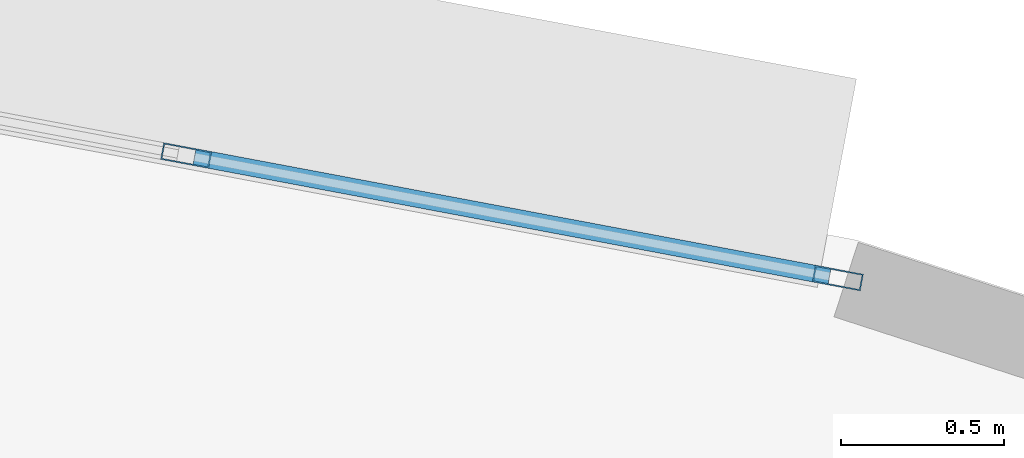
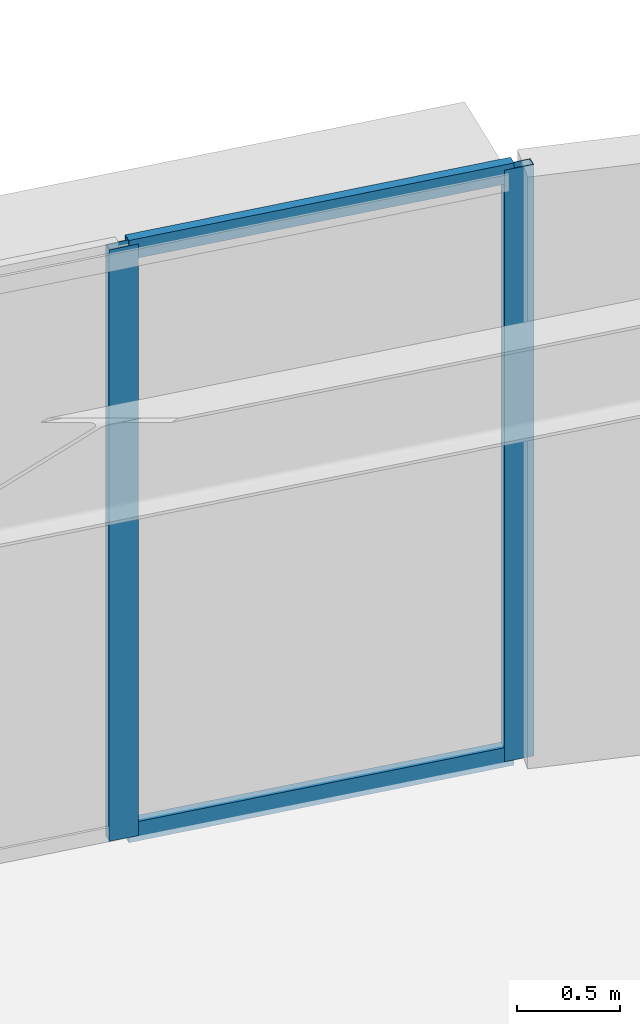
# One storey, part 6 of 18: 4 members, 1 element without a shape of its own.
"""IFC4 building model written with IfcOpenShell, lengths in metres."""

from ifc_helpers import new_model, si_unit, direction, frame, origin, origin_2d, place, context, subcontext, project, spatial, hollow_rectangle, extrude, source, transform, mapped, material, layer, layer_set, material_profile, profile_set, type_object, element, aggregate, save


model = new_model("IFC4")

# Units and contexts
model_context = context("Model", 3, precision=1e-05, world=origin(), true_north=direction((0.0, 1.0)))
body_context = subcontext(model_context, "Body", "Model", "MODEL_VIEW")
ifc_project = project(units=[si_unit("LENGTHUNIT", "METRE"), si_unit("AREAUNIT", "SQUARE_METRE"), si_unit("VOLUMEUNIT", "CUBIC_METRE"), si_unit("PLANEANGLEUNIT", "RADIAN"), si_unit("MASSUNIT", "GRAM", prefix="KILO")], contexts=[model_context])

# Site, building, storey
site_placement = place(None, origin())
site = spatial("IfcSite", under=ifc_project, at=site_placement, CompositionType="ELEMENT")
building_placement = place(site_placement, origin())
building = spatial("IfcBuilding", under=site, at=building_placement, Name="Linh Dai School and Residence Tower", CompositionType="ELEMENT")
storey_placement = place(building_placement, frame((0.0, 0.0, 167.39990234375)))
storey = spatial("IfcBuildingStorey", under=building, at=storey_placement, Name="L40", CompositionType="ELEMENT", Elevation=167.39990234375)

# Curtain wall, members
ifc_material_1 = material(Name="Aluminium Anodised Curtain Wall", Category="aluminium")
ifc_layer = layer(ifc_material_1, 0.14990234375)
ifc_layer_set = layer_set([ifc_layer], Name="Aluminium Anodised Curtain Wall")
curtain_wall_type = type_object("IfcCurtainWallType", Name="CW-SYS-4", PredefinedType="USERDEFINED", material=ifc_layer_set)
curtain_wall_placement = place(storey_placement, origin())
curtain_wall = element("IfcCurtainWall", 1, at=curtain_wall_placement, inside=storey, type_object=curtain_wall_type, Name="L40 CW4 Curtain Wall 09", ObjectType="RIBBON CURTAIN WALL", PredefinedType="USERDEFINED")
ifc_material_2 = material(Name="Aluminium Alloy 6063-T6", Category="aluminium")
ifc_material_profile_1 = material_profile(ifc_material_2, hollow_rectangle(XDim=0.052001953125, YDim=0.14990234375, WallThickness=0.00390625, at=origin_2d()), Name="RHS 150x52x4")
ifc_profile_set_1 = profile_set([ifc_material_profile_1], Name="Aluminium Alloy 6063-T6")
member_type_1 = type_object("IfcMemberType", Name="CW-SYS-4-MUL", PredefinedType="MULLION", material=ifc_profile_set_1)
shared_shape_1 = source(origin(), body_context, "Body", "SweptSolid", [
    extrude(hollow_rectangle(XDim=0.052001953125, YDim=0.14990234375, WallThickness=0.00390625, at=origin_2d()), origin(), (0.0, 0.0, 1.0), 3.5),
])
member_1_placement = place(storey_placement, frame((42.16748046875, 47.0693359375, 0.0), z_axis=(0.0, 0.0, 1.0), x_axis=(0.184762540184, 0.982783192645, 0.0)))
member_1 = element("IfcMember", 2, at=member_1_placement, type_object=member_type_1, Name="CW4 mullion 2", PredefinedType="MULLION", context=body_context, shape_type="MappedRepresentation", body=[
    mapped(shared_shape_1, transform((0.0, 0.0, 0.0), x_axis=(1.0, 0.0, 0.0), y_axis=(0.0, 1.0, 0.0), z_axis=(0.0, 0.0, 1.0), scale=1.0)),
])
member_2_placement = place(storey_placement, frame((44.16357421875, 46.694091796875, 0.0), z_axis=(0.0, 0.0, 1.0), x_axis=(0.184762540184, 0.982783192645, 0.0)))
member_2 = element("IfcMember", 3, at=member_2_placement, type_object=member_type_1, Name="CW4 mullion 3", PredefinedType="MULLION", context=body_context, shape_type="MappedRepresentation", body=[
    mapped(shared_shape_1, transform((0.0, 0.0, 0.0), x_axis=(1.0, 0.0, 0.0), y_axis=(0.0, 1.0, 0.0), z_axis=(0.0, 0.0, 1.0), scale=1.0)),
])
ifc_material_profile_2 = material_profile(ifc_material_2, hollow_rectangle(XDim=0.052001953125, YDim=0.114990234375, WallThickness=0.00390625, at=origin_2d()), Name="RHS 115x52x4")
ifc_profile_set_2 = profile_set([ifc_material_profile_2], Name="Aluminium Alloy 6063-T6")
member_type_2 = type_object("IfcMemberType", Name="CW-SYS-4-TRN", PredefinedType="USERDEFINED", material=ifc_profile_set_2)
shared_shape_2 = source(origin(), body_context, "Body", "SweptSolid", [
    extrude(hollow_rectangle(XDim=0.052001953125, YDim=0.114990234375, WallThickness=0.00390625, at=origin_2d()), origin(), (0.0, 0.0, 1.0), 1.979248046875),
])
member_3_placement = place(storey_placement, frame((42.19287109375, 47.064697265625, 0.026123046875), z_axis=(0.982778495778, -0.184787521862, 0.0), x_axis=(0.184787521862, 0.982778495778, 0.0)))
member_3 = element("IfcMember", 4, at=member_3_placement, type_object=member_type_2, Name="CW4 transom 2.1", ObjectType="TRANSOM", PredefinedType="USERDEFINED", context=body_context, shape_type="MappedRepresentation", body=[
    mapped(shared_shape_2, transform((0.0, 0.0, 0.0), x_axis=(1.0, 0.0, 0.0), y_axis=(0.0, 1.0, 0.0), z_axis=(0.0, 0.0, 1.0), scale=1.0)),
])
member_4_placement = place(storey_placement, frame((42.19287109375, 47.064697265625, 3.47412109375), z_axis=(0.982778495778, -0.184787521862, 0.0), x_axis=(0.184787521862, 0.982778495778, 0.0)))
member_4 = element("IfcMember", 5, at=member_4_placement, type_object=member_type_2, Name="CW4 transom 2.2", ObjectType="TRANSOM", PredefinedType="USERDEFINED", context=body_context, shape_type="MappedRepresentation", body=[
    mapped(shared_shape_2, transform((0.0, 0.0, 0.0), x_axis=(1.0, 0.0, 0.0), y_axis=(0.0, 1.0, 0.0), z_axis=(0.0, 0.0, 1.0), scale=1.0)),
])
aggregate(curtain_wall, [member_1, member_2, member_3, member_4])

save(model, "model.ifc")
